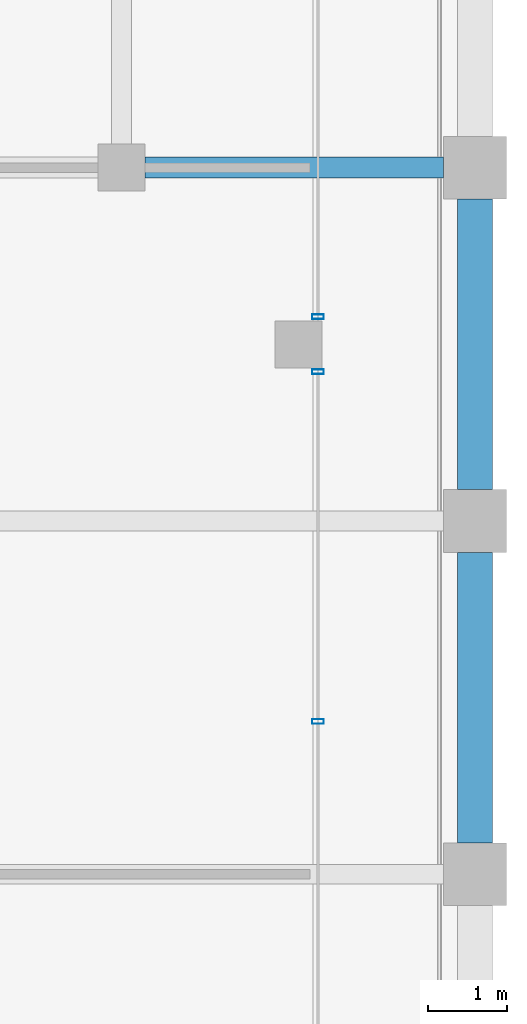
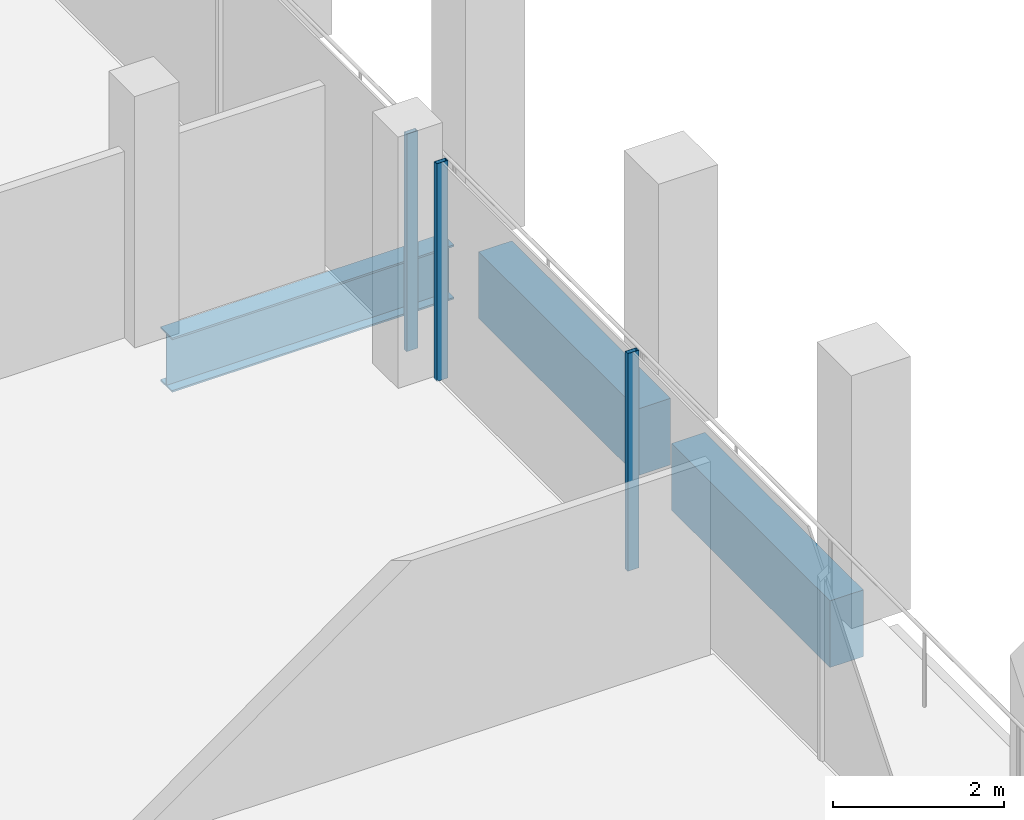
# One storey, part 19 of 30: 3 beams, 3 members, 2 elements without a shape of their own.
"""IFC4 building model written with IfcOpenShell, lengths in metres."""

from ifc_helpers import new_model, si_unit, direction, frame, origin, origin_2d, place, context, subcontext, project, spatial, rectangle, hollow_rectangle, i_section, extrude, material, material_profile, profile_set, type_object, element, aggregate, save


model = new_model("IFC4")

# Units and contexts
model_context = context("Model", 3, precision=1e-05, world=origin(), true_north=direction((0.0, 1.0)))
body_context = subcontext(model_context, "Body", "Model", "MODEL_VIEW")
ifc_project = project(units=[si_unit("LENGTHUNIT", "METRE"), si_unit("AREAUNIT", "SQUARE_METRE"), si_unit("VOLUMEUNIT", "CUBIC_METRE"), si_unit("PLANEANGLEUNIT", "RADIAN"), si_unit("MASSUNIT", "GRAM", prefix="KILO")], contexts=[model_context])

# Site, building, storey
site_placement = place(None, origin())
site = spatial("IfcSite", under=ifc_project, at=site_placement, CompositionType="ELEMENT")
building_placement = place(site_placement, origin())
building = spatial("IfcBuilding", under=site, at=building_placement, Name="Altepetl Exchange Towers", CompositionType="ELEMENT")
storey_placement = place(building_placement, frame((0.0, 0.0, 231.60009765625)))
storey = spatial("IfcBuildingStorey", under=building, at=storey_placement, Name="L59", CompositionType="ELEMENT", Elevation=231.60009765625)

# Beam
ifc_material_1 = material(Name="Steel S355", Category="steel")
ifc_material_profile_1 = material_profile(ifc_material_1, i_section(OverallWidth=0.26806640625, OverallDepth=0.77392578125, WebThickness=0.015380859375, FlangeThickness=0.025390625, at=origin_2d()), Name="W30X132")
ifc_profile_set_1 = profile_set([ifc_material_profile_1], Name="Steel S355")
beam_type_1 = type_object("IfcBeamType", Name="Girder W30X132", PredefinedType="BEAM", material=ifc_profile_set_1)
beam_placement = place(storey_placement, frame((67.800048828125, 58.5, -0.537109375), z_axis=(1.0, 0.0, 0.0), x_axis=(0.0, 1.0, 0.0)))
element("IfcBeam", 1, at=beam_placement, inside=storey, type_object=beam_type_1, Name="gd:A:L59:002", PredefinedType="BEAM", context=body_context, shape_type="SweptSolid", body=[
    extrude(i_section(OverallWidth=0.26806640625, OverallDepth=0.77392578125, WebThickness=0.015380859375, FlangeThickness=0.025390625, at=origin_2d()), origin(), (0.0, 0.0, 1.0), 3.800048828125),
])

# Curtain wall, members
ifc_material_2 = material(Name="Aluminium 6063-T6 glazing", Category="aluminium")
curtain_wall_type = type_object("IfcCurtainWallType", Name="Loggia glazing system", PredefinedType="NOTDEFINED", material=ifc_material_2)
curtain_wall_1_placement = place(storey_placement, origin())
curtain_wall_1 = element("IfcCurtainWall", 2, at=curtain_wall_1_placement, inside=storey, type_object=curtain_wall_type, Name="CW1 run", PredefinedType="NOTDEFINED")
ifc_material_3 = material(Name="Aluminium 6063-T6", Category="aluminium")
ifc_material_profile_2 = material_profile(ifc_material_3, hollow_rectangle(XDim=0.06005859375, YDim=0.14990234375, WallThickness=0.0029296875, at=origin_2d()), Name="Mullion 60x150 aluminium")
ifc_profile_set_2 = profile_set([ifc_material_profile_2], Name="Aluminium 6063-T6")
member_type = type_object("IfcMemberType", Name="Mullion 60x150 aluminium", PredefinedType="MULLION", material=ifc_profile_set_2)
member_1_placement = place(storey_placement, frame((70.0, 51.444091796875, 0.0), z_axis=(0.0, 0.0, 1.0), x_axis=(0.0, 1.0, 0.0)))
member_1 = element("IfcMember", 3, at=member_1_placement, type_object=member_type, Name="MU1 mullion", PredefinedType="MULLION", context=body_context, shape_type="SweptSolid", body=[
    extrude(hollow_rectangle(XDim=0.06005859375, YDim=0.14990234375, WallThickness=0.0029296875, at=origin_2d()), origin(), (0.0, 0.0, 1.0), 3.099853515625),
])
member_2_placement = place(storey_placement, frame((70.0, 55.89990234375, 0.0), z_axis=(0.0, 0.0, 1.0), x_axis=(0.0, 1.0, 0.0)))
member_2 = element("IfcMember", 4, at=member_2_placement, type_object=member_type, Name="MU1 mullion", PredefinedType="MULLION", context=body_context, shape_type="SweptSolid", body=[
    extrude(hollow_rectangle(XDim=0.06005859375, YDim=0.14990234375, WallThickness=0.0029296875, at=origin_2d()), origin(), (0.0, 0.0, 1.0), 3.099853515625),
])
aggregate(curtain_wall_1, [member_1, member_2])

# Curtain wall, member
curtain_wall_2_placement = place(storey_placement, origin())
curtain_wall_2 = element("IfcCurtainWall", 5, at=curtain_wall_2_placement, inside=storey, type_object=curtain_wall_type, Name="CW1 run", PredefinedType="NOTDEFINED")
member_3_placement = place(storey_placement, frame((70.0, 56.60009765625, 0.0), z_axis=(0.0, 0.0, 1.0), x_axis=(0.0, 1.0, 0.0)))
member_3 = element("IfcMember", 6, at=member_3_placement, type_object=member_type, Name="MU1 mullion", PredefinedType="MULLION", context=body_context, shape_type="SweptSolid", body=[
    extrude(hollow_rectangle(XDim=0.06005859375, YDim=0.14990234375, WallThickness=0.0029296875, at=origin_2d()), origin(), (0.0, 0.0, 1.0), 3.099853515625),
])
aggregate(curtain_wall_2, [member_3])

# Beams
ifc_material_4 = material(Name="Concrete C50/60 precast with cantera amarilla facing", Category="concrete")
ifc_material_profile_3 = material_profile(ifc_material_4, rectangle(XDim=0.449951171875, YDim=0.949951171875, at=origin_2d()), Name="450 x 950")
ifc_profile_set_3 = profile_set([ifc_material_profile_3], Name="Concrete C50/60 precast with cantera amarilla facing")
beam_type_2 = type_object("IfcBeamType", Name="Spandrel beam 450x950 cantera amarilla", PredefinedType="SPANDREL", material=ifc_profile_set_3)
for number, where, z_axis, x_axis, name in (
    (7, (72.0, 49.89990234375, -0.625), (0.0, 1.0, 0.0), (-1.0, 0.0, 0.0), "sp:A:L59:016"),
    (8, (72.0, 54.39990234375, -0.625), (0.0, 1.0, 0.0), (-1.0, 0.0, 0.0), "sp:A:L59:017"),
):
    element("IfcBeam", number, at=place(storey_placement, frame(where, z_axis=z_axis, x_axis=x_axis)), inside=storey, type_object=beam_type_2, Name=name, PredefinedType="SPANDREL", context=body_context, shape_type="SweptSolid", body=[
        extrude(rectangle(XDim=0.449951171875, YDim=0.949951171875, at=origin_2d()), origin(), (0.0, 0.0, 1.0), 3.7001953125),
    ])

save(model, "model.ifc")
